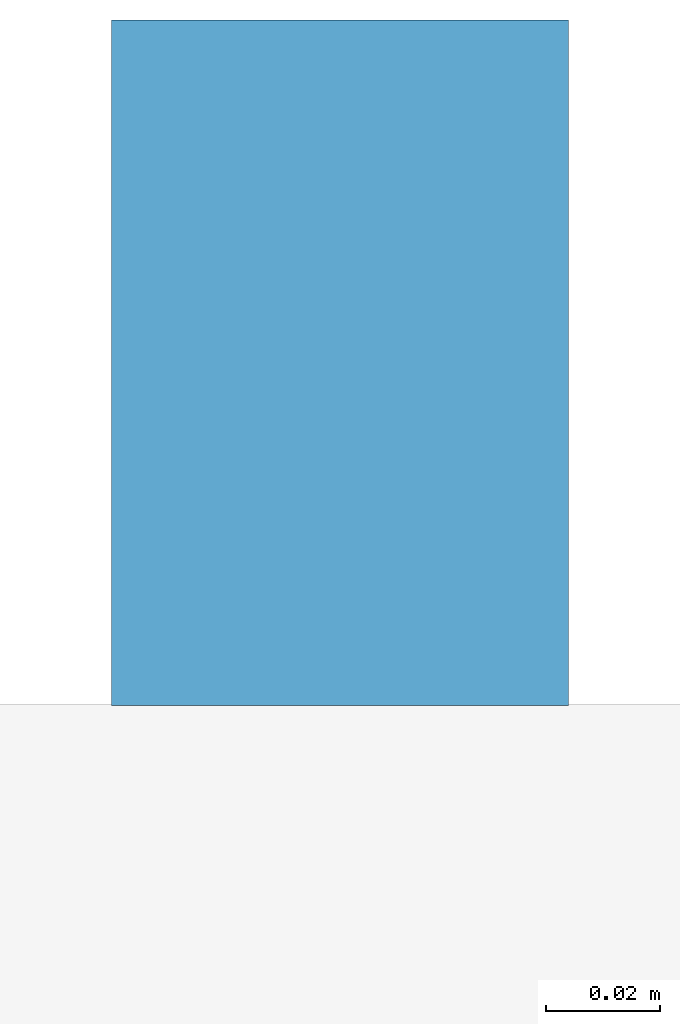
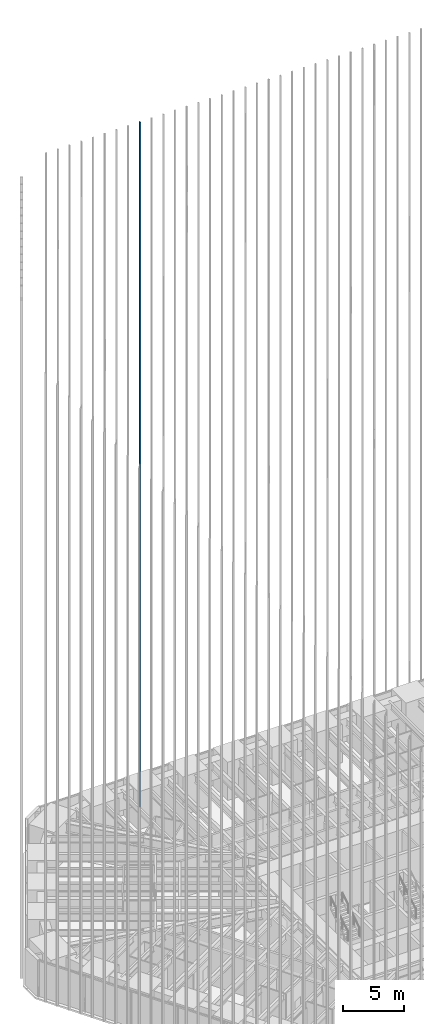
# One storey, part 176 of 256: 1 member, 1 element without a shape of its own.
"""IFC4 building model written with IfcOpenShell, lengths in metres."""

from ifc_helpers import new_model, si_unit, direction, frame, origin, origin_2d, place, context, subcontext, project, spatial, rectangle, extrude, material, material_profile, profile_set, type_object, element, aggregate, save


model = new_model("IFC4")

# Units and contexts
model_context = context("Model", 3, precision=1e-05, world=origin(), true_north=direction((0.0, 1.0)))
body_context = subcontext(model_context, "Body", "Model", "MODEL_VIEW")
ifc_project = project(units=[si_unit("LENGTHUNIT", "METRE"), si_unit("AREAUNIT", "SQUARE_METRE"), si_unit("VOLUMEUNIT", "CUBIC_METRE"), si_unit("PLANEANGLEUNIT", "RADIAN"), si_unit("MASSUNIT", "GRAM", prefix="KILO")], contexts=[model_context])

# Site, building, storey
site_placement = place(None, origin())
site = spatial("IfcSite", under=ifc_project, at=site_placement, CompositionType="ELEMENT")
building_placement = place(site_placement, origin())
building = spatial("IfcBuilding", under=site, at=building_placement, Name="Sandreach Pilgrim Tower", CompositionType="ELEMENT")
storey_placement = place(building_placement, frame((0.0, 0.0, 23.0)))
storey = spatial("IfcBuildingStorey", under=building, at=storey_placement, Name="L04", CompositionType="ELEMENT", Elevation=23.0)

# Curtain wall, member
ifc_material_1 = material(Name="Aluminium framed curtain wall", Category="aluminium")
curtain_wall_type = type_object("IfcCurtainWallType", Name="Hostel tower curtain wall", PredefinedType="NOTDEFINED", material=ifc_material_1)
curtain_wall_placement = place(storey_placement, origin())
curtain_wall = element("IfcCurtainWall", 1, at=curtain_wall_placement, inside=storey, type_object=curtain_wall_type, Name="CW-1 L04 N", PredefinedType="NOTDEFINED")
ifc_material_2 = material(Name="Extruded terracotta on aluminium core", Category="masonry")
ifc_material_profile = material_profile(ifc_material_2, rectangle(XDim=0.080078125, YDim=0.1201171875, at=origin_2d()), Name="TBN 80X120")
ifc_profile_set = profile_set([ifc_material_profile], Name="Extruded terracotta on aluminium core")
member_type = type_object("IfcMemberType", Name="Terracotta baguette north", PredefinedType="USERDEFINED", material=ifc_profile_set)
member_placement = place(storey_placement, frame((-9.93994140625, 24.30859375, 0.0), z_axis=(0.0, 0.0, 1.0), x_axis=(1.0, 0.0, 0.0)))
member = element("IfcMember", 2, at=member_placement, type_object=member_type, Name="Baguette Z1 N09", ObjectType="BAGUETTE", PredefinedType="USERDEFINED", context=body_context, shape_type="SweptSolid", body=[
    extrude(rectangle(XDim=0.080078125, YDim=0.1201171875, at=origin_2d()), origin(), (0.0, 0.0, 1.0), 68.239990234375),
])
aggregate(curtain_wall, [member])

save(model, "model.ifc")
